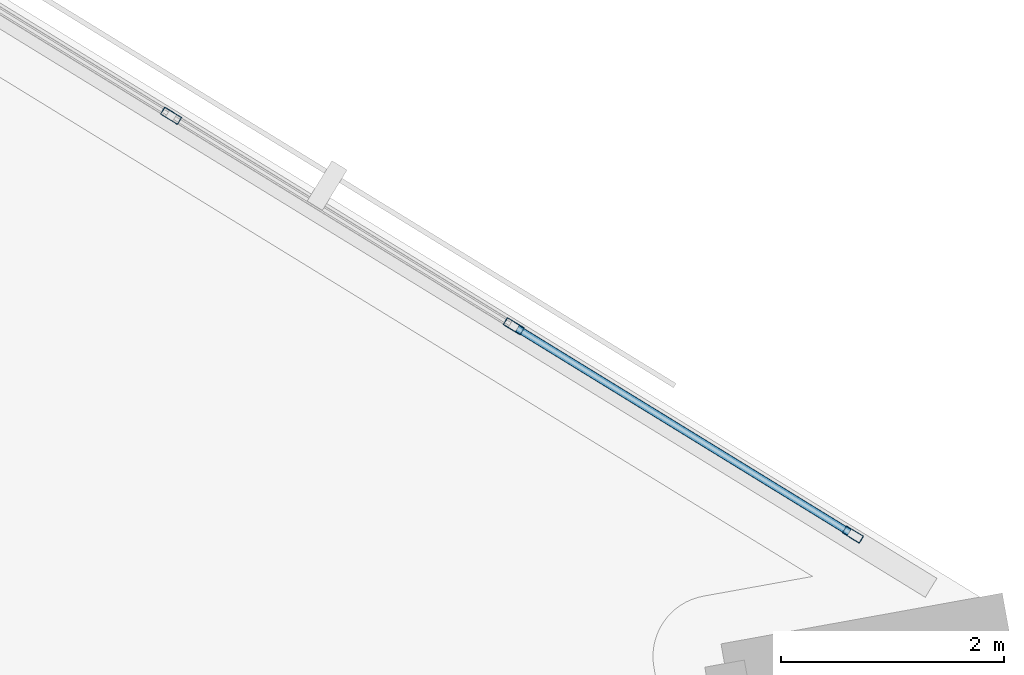
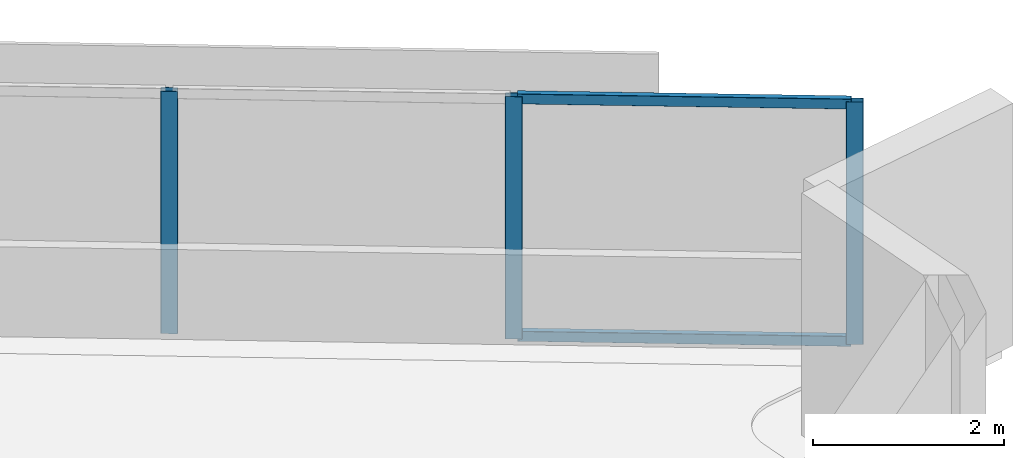
# One storey, part 4 of 20: 5 members, 1 element without a shape of its own.
"""IFC4 building model written with IfcOpenShell, lengths in metres."""

import ifcopenshell
import ifcopenshell.guid

model = None  # the IFC model being written
_history = None  # IfcOwnerHistory: only IFC2X3 demands one
_inside = {}  # id of a spatial element -> (the spatial element, [elements in it])
_under = {}  # id of a project, library or spatial element -> (it, [spatial elements below it])
_declared = {}  # id of a project -> (the project, [libraries it declares])
_typed = {}  # id of a type object -> (the type object, [elements of that type])
_made_of = {}  # id of a material, layer set ... -> (it, [elements and type objects made of it])


def new_model(schema):
    """Start an empty IFC model of exactly this schema.

    Asked for "IFC4X3", IfcOpenShell would pick the latest addendum, in which some entities
    have other attributes; the version numbers below select the first issue.
    IFC2X3 requires an IfcOwnerHistory on every rooted entity: one is made here for all.
    """
    global model, _history
    if schema == "IFC4X3":
        model = ifcopenshell.file(schema_version=(4, 3, 0, 0))
    else:
        model = ifcopenshell.file(schema=schema)
    _inside.clear()
    _under.clear()
    _declared.clear()
    _typed.clear()
    _made_of.clear()
    _history = None
    if model.schema == "IFC2X3":
        org = make("IfcOrganization", Name="unknown")
        user = make(
            "IfcPersonAndOrganization",
            ThePerson=make("IfcPerson", FamilyName="unknown"),
            TheOrganization=org,
        )
        app = make(
            "IfcApplication",
            ApplicationDeveloper=org,
            Version="unknown",
            ApplicationFullName="unknown",
            ApplicationIdentifier="unknown",
        )
        _history = make(
            "IfcOwnerHistory",
            OwningUser=user,
            OwningApplication=app,
            ChangeAction="ADDED",
            CreationDate=0,
        )
    return model


def make(cls, **values):
    """One entity of the class cls with the attributes given. An attribute that is None is left unset."""
    return model.create_entity(
        cls, **{name: value for name, value in values.items() if value is not None}
    )


def rooted(cls, **values):
    """An entity with a GlobalId (a new one), such as an element, a storey or a relation."""
    return make(cls, GlobalId=ifcopenshell.guid.new(), OwnerHistory=_history, **values)


def si_unit(unit_type, name, prefix=None):
    """IfcSIUnit, for example si_unit("LENGTHUNIT", "METRE", prefix="MILLI")."""
    return make("IfcSIUnit", UnitType=unit_type, Prefix=prefix, Name=name)


def assignment(units):
    """IfcUnitAssignment: the units of a project."""
    return None if units is None else make("IfcUnitAssignment", Units=units)


def point(xyz):
    """IfcCartesianPoint."""
    return None if xyz is None else make("IfcCartesianPoint", Coordinates=xyz)


def direction(xyz):
    """IfcDirection."""
    return None if xyz is None else make("IfcDirection", DirectionRatios=xyz)


def frame(location, z_axis=None, x_axis=None):
    """IfcAxis2Placement3D, a coordinate frame: its origin and axes. An axis left out is left unset."""
    return make(
        "IfcAxis2Placement3D",
        Location=point(location),
        Axis=direction(z_axis),
        RefDirection=direction(x_axis),
    )


def frame_2d(location, x_axis=None):
    """IfcAxis2Placement2D, a coordinate frame in the plane: its origin and x axis."""
    return make(
        "IfcAxis2Placement2D", Location=point(location), RefDirection=direction(x_axis)
    )


def origin():
    """The frame at (0, 0, 0) with its axes left unset."""
    return frame((0.0, 0.0, 0.0))


def origin_2d():
    """The frame at (0, 0) in the plane with its x axis left unset."""
    return frame_2d((0.0, 0.0))


def place(relative_to, where):
    """IfcLocalPlacement: puts the frame where relative to a parent placement (None: the world)."""
    return make(
        "IfcLocalPlacement", PlacementRelTo=relative_to, RelativePlacement=where
    )


def context(
    kind, dimensions, precision=None, world=None, true_north=None, identifier=None
):
    """IfcGeometricRepresentationContext, for example the 3D "Model" context."""
    return make(
        "IfcGeometricRepresentationContext",
        ContextIdentifier=identifier,
        ContextType=kind,
        CoordinateSpaceDimension=dimensions,
        Precision=precision,
        WorldCoordinateSystem=world,
        TrueNorth=true_north,
    )


def subcontext(parent, identifier, kind, view, scale=None):
    """IfcGeometricRepresentationSubContext, for example "Body" below "Model"."""
    return make(
        "IfcGeometricRepresentationSubContext",
        ContextIdentifier=identifier,
        ContextType=kind,
        ParentContext=parent,
        TargetScale=scale,
        TargetView=view,
    )


def project(units=None, contexts=None):
    """IfcProject with its units and contexts."""
    return rooted(
        "IfcProject",
        Name="project",
        RepresentationContexts=contexts,
        UnitsInContext=assignment(units),
    )


def spatial(cls, under=None, at=None, **own):
    """A site, building, storey or space (cls), placed at a placement, below another one or the project."""
    s = rooted(cls, ObjectPlacement=at, **own)
    if under is not None:
        _under.setdefault(under.id(), (under, []))[1].append(s)
    return s


def profile(cls, at=None, kind="AREA", **sizes):
    """A parametric profile (cls). Its sizes go by their IFC names, for example OverallWidth=200.0."""
    return make(cls, ProfileType=kind, Position=at, **sizes)


def hollow_rectangle(**sizes):
    """IfcRectangleHollowProfileDef."""
    return profile("IfcRectangleHollowProfileDef", **sizes)


def extrude(swept, where, along, depth):
    """IfcExtrudedAreaSolid: the profile swept, set in the frame where, extruded along a direction by depth."""
    return make(
        "IfcExtrudedAreaSolid",
        SweptArea=swept,
        Position=where,
        ExtrudedDirection=direction(along),
        Depth=depth,
    )


def shape(context_of_items, identifier, shape_type, items):
    """IfcShapeRepresentation: the items that make up one representation, for example the "Body"."""
    return make(
        "IfcShapeRepresentation",
        ContextOfItems=context_of_items,
        RepresentationIdentifier=identifier,
        RepresentationType=shape_type,
        Items=items,
    )


def material(Name=None, Category=None):
    """IfcMaterial."""
    return make("IfcMaterial", Name=Name, Category=Category)


def material_profile(
    of_material, cross_section, Name=None, Category=None, Priority=None
):
    """IfcMaterialProfile: a cross section and its material."""
    return make(
        "IfcMaterialProfile",
        Name=Name,
        Material=of_material,
        Profile=cross_section,
        Priority=Priority,
        Category=Category,
    )


def profile_set(profiles, Name=None, composite=None):
    """IfcMaterialProfileSet."""
    return make(
        "IfcMaterialProfileSet",
        Name=Name,
        MaterialProfiles=profiles,
        CompositeProfile=composite,
    )


def made_of(thing, what):
    """Note that an element or type object is made of a material, layer set ...; save() writes the relation."""
    if what is not None:
        _made_of.setdefault(what.id(), (what, []))[1].append(thing)
    return thing


def type_object(cls, material=None, **own):
    """A type object (cls), such as IfcWallType, which elements share."""
    return made_of(rooted(cls, **own), material)


def element(
    cls,
    number,
    at=None,
    inside=None,
    cuts=None,
    type_object=None,
    material=None,
    context=None,
    identifier="Body",
    shape_type=None,
    held_by="IfcProductDefinitionShape",
    body=None,
    shapes=None,
    **own,
):
    """One element of the class cls, such as IfcWall. Its Tag is "e" and its number.

    at: its placement. inside: the storey or other place that contains it. cuts: it is an
    opening in that element (IfcRelVoidsElement). A single representation is given by context,
    identifier, shape_type and body (its items); several are given by shapes. held_by: the class
    of the entity that holds the representations. save() writes the other relations.
    """
    e = rooted(cls, Tag="e%d" % number, ObjectPlacement=at, **own)
    if body is not None:
        shapes = [shape(context, identifier, shape_type, body)]
    if shapes is not None:
        e.Representation = make(held_by, Representations=shapes)
    if inside is not None:
        _inside.setdefault(inside.id(), (inside, []))[1].append(e)
    if cuts is not None:
        rooted(
            "IfcRelVoidsElement", RelatingBuildingElement=cuts, RelatedOpeningElement=e
        )
    if type_object is not None:
        _typed.setdefault(type_object.id(), (type_object, []))[1].append(e)
    return made_of(e, material)


def aggregate(whole, parts):
    """IfcRelAggregates: a whole, such as a stair, and the parts it consists of."""
    return rooted("IfcRelAggregates", RelatingObject=whole, RelatedObjects=parts)


def save(model, path):
    """Write the relations noted so far, then the file.

    IfcRelAggregates (storeys below a building ...), IfcRelContainedInSpatialStructure (elements
    in a storey), IfcRelDefinesByType, IfcRelAssociatesMaterial and IfcRelDeclares: one each for
    every whole, place, type object, material and project.
    """
    for whole, parts in _under.values():
        aggregate(whole, parts)
    for where, things in _inside.values():
        rooted(
            "IfcRelContainedInSpatialStructure",
            RelatedElements=things,
            RelatingStructure=where,
        )
    for kind, things in _typed.values():
        rooted("IfcRelDefinesByType", RelatedObjects=things, RelatingType=kind)
    for what, things in _made_of.values():
        rooted("IfcRelAssociatesMaterial", RelatedObjects=things, RelatingMaterial=what)
    for by, libraries in _declared.values():
        rooted("IfcRelDeclares", RelatingContext=by, RelatedDefinitions=libraries)
    model.write(path)


model = new_model("IFC4")

# Units and contexts
model_context = context("Model", 3, precision=1e-05, world=origin(), true_north=direction((0.0, 1.0)))
body_context = subcontext(model_context, "Body", "Model", "MODEL_VIEW")
ifc_project = project(units=[si_unit("LENGTHUNIT", "METRE"), si_unit("AREAUNIT", "SQUARE_METRE"), si_unit("VOLUMEUNIT", "CUBIC_METRE"), si_unit("PLANEANGLEUNIT", "RADIAN"), si_unit("MASSUNIT", "GRAM", prefix="KILO")], contexts=[model_context])

# Site, building, storey
site_placement = place(None, origin())
site = spatial("IfcSite", under=ifc_project, at=site_placement, CompositionType="ELEMENT")
building_placement = place(site_placement, origin())
building = spatial("IfcBuilding", under=site, at=building_placement, Name="Narakoshi Arena Tower", CompositionType="ELEMENT")
storey_placement = place(building_placement, frame((0.0, 0.0, 124.5)))
storey = spatial("IfcBuildingStorey", under=building, at=storey_placement, Name="L33", CompositionType="ELEMENT", Elevation=124.5)

# Curtain wall, members
ifc_material = material(Name="Anodised bronze aluminium 6063-T6", Category="aluminium")
curtain_wall_type = type_object("IfcCurtainWallType", Name="CW-HYP-LOW", PredefinedType="NOTDEFINED", material=ifc_material)
curtain_wall_placement = place(storey_placement, origin())
curtain_wall = element("IfcCurtainWall", 1, at=curtain_wall_placement, inside=storey, type_object=curtain_wall_type, Name="L33 Folded Hypotenuse Curtain Wall 1-1", PredefinedType="NOTDEFINED")
ifc_material_profile_1 = material_profile(ifc_material, hollow_rectangle(XDim=0.074951171875, YDim=0.179931640625, WallThickness=0.00390625, OuterFilletRadius=0.0048828125, at=origin_2d()), Name="MUL180x75x4")
ifc_profile_set_1 = profile_set([ifc_material_profile_1], Name="Anodised bronze aluminium 6063-T6")
member_type_1 = type_object("IfcMemberType", Name="MEM-MUL-180", PredefinedType="MULLION", material=ifc_profile_set_1)
member_1_placement = place(storey_placement, frame((119.16259765625, 43.548583984375, 0.0), z_axis=(0.0, 0.0, 1.0), x_axis=(-0.523357676535, -0.852113104237, 0.0)))
member_1 = element("IfcMember", 2, at=member_1_placement, type_object=member_type_1, Name="CW-01 mullion 1", PredefinedType="MULLION", context=body_context, shape_type="SweptSolid", body=[
    extrude(hollow_rectangle(XDim=0.074951171875, YDim=0.179931640625, WallThickness=0.00390625, OuterFilletRadius=0.0048828125, at=origin_2d()), origin(), (0.0, 0.0, 1.0), 3.10009765625),
])
member_2_placement = place(storey_placement, frame((116.11767578125, 45.418701171875, 0.0), z_axis=(0.0, 0.0, 1.0), x_axis=(-0.523357676535, -0.852113104237, 0.0)))
member_2 = element("IfcMember", 3, at=member_2_placement, type_object=member_type_1, Name="CW-01 mullion 2", PredefinedType="MULLION", context=body_context, shape_type="SweptSolid", body=[
    extrude(hollow_rectangle(XDim=0.074951171875, YDim=0.179931640625, WallThickness=0.00390625, OuterFilletRadius=0.0048828125, at=origin_2d()), origin(), (0.0, 0.0, 1.0), 3.10009765625),
])
member_3_placement = place(storey_placement, frame((113.040771484375, 47.30859375, 0.0), z_axis=(0.0, 0.0, 1.0), x_axis=(-0.523357676535, -0.852113104237, 0.0)))
member_3 = element("IfcMember", 4, at=member_3_placement, type_object=member_type_1, Name="CW-01 mullion 3", PredefinedType="MULLION", context=body_context, shape_type="SweptSolid", body=[
    extrude(hollow_rectangle(XDim=0.074951171875, YDim=0.179931640625, WallThickness=0.00390625, OuterFilletRadius=0.0048828125, at=origin_2d()), origin(), (0.0, 0.0, 1.0), 3.10009765625),
])
ifc_material_profile_2 = material_profile(ifc_material, hollow_rectangle(XDim=0.06494140625, YDim=0.1298828125, WallThickness=0.00390625, OuterFilletRadius=0.0048828125, at=origin_2d()), Name="TRN130x65x4")
ifc_profile_set_2 = profile_set([ifc_material_profile_2], Name="Anodised bronze aluminium 6063-T6")
member_type_2 = type_object("IfcMemberType", Name="MEM-TRN-130", PredefinedType="USERDEFINED", material=ifc_profile_set_2)
member_4_placement = place(storey_placement, frame((119.130615234375, 43.568359375, 0.032470703125), z_axis=(-0.852120447829, 0.52334571976, 0.0), x_axis=(-0.52334571976, -0.852120447829, 0.0)))
member_4 = element("IfcMember", 5, at=member_4_placement, type_object=member_type_2, Name="CW-01 transom 1.1", ObjectType="TRANSOM", PredefinedType="USERDEFINED", context=body_context, shape_type="SweptSolid", body=[
    extrude(hollow_rectangle(XDim=0.06494140625, YDim=0.1298828125, WallThickness=0.00390625, OuterFilletRadius=0.0048828125, at=origin_2d()), origin(), (0.0, 0.0, 1.0), 3.498291015625),
])
member_5_placement = place(storey_placement, frame((119.130615234375, 43.568359375, 3.0673828125), z_axis=(-0.852120447829, 0.52334571976, 0.0), x_axis=(-0.52334571976, -0.852120447829, 0.0)))
member_5 = element("IfcMember", 6, at=member_5_placement, type_object=member_type_2, Name="CW-01 transom 1.2", ObjectType="TRANSOM", PredefinedType="USERDEFINED", context=body_context, shape_type="SweptSolid", body=[
    extrude(hollow_rectangle(XDim=0.06494140625, YDim=0.1298828125, WallThickness=0.00390625, OuterFilletRadius=0.0048828125, at=origin_2d()), origin(), (0.0, 0.0, 1.0), 3.498291015625),
])
aggregate(curtain_wall, [member_1, member_2, member_3, member_4, member_5])

save(model, "model.ifc")
